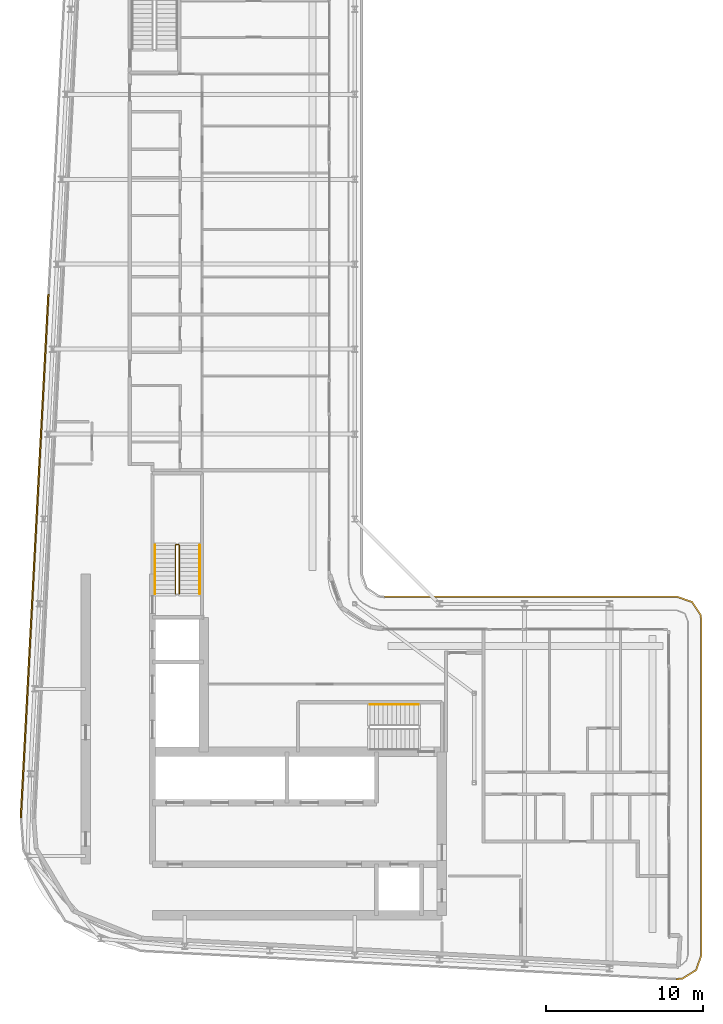
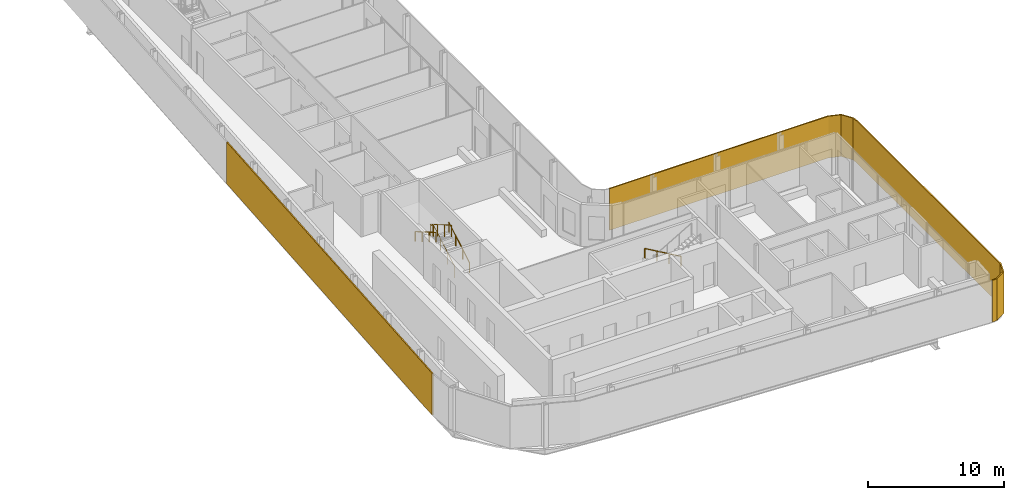
# One storey, part 18 of 21: 4 railings, 2 shading devices.
"""IFC4 building model written with IfcOpenShell, lengths in metres."""

from ifc_helpers import new_model, si_unit, direction, frame, origin, origin_2d, place, context, subcontext, project, spatial, polyline, rectangle, circle, outline, extrude, material, layer, layer_set, type_object, element, save


model = new_model("IFC4")

# Units and contexts
model_context = context("Model", 3, precision=1e-05, world=origin(), true_north=direction((0.0, 1.0)))
body_context = subcontext(model_context, "Body", "Model", "MODEL_VIEW")
ifc_project = project(units=[si_unit("LENGTHUNIT", "METRE"), si_unit("AREAUNIT", "SQUARE_METRE"), si_unit("VOLUMEUNIT", "CUBIC_METRE"), si_unit("PLANEANGLEUNIT", "RADIAN"), si_unit("MASSUNIT", "GRAM", prefix="KILO")], contexts=[model_context])

# Site, building, storey
site_placement = place(None, origin())
site = spatial("IfcSite", under=ifc_project, at=site_placement, CompositionType="ELEMENT")
building_placement = place(site_placement, origin())
building = spatial("IfcBuilding", under=site, at=building_placement, Name="Kheshtan School and Residences Tower", CompositionType="ELEMENT")
storey_placement = place(building_placement, frame((0.0, 0.0, 294.199951171875)))
storey = spatial("IfcBuildingStorey", under=building, at=storey_placement, Name="L69", CompositionType="ELEMENT", Elevation=294.199951171875)

# Shading devices
ifc_material_1 = material(Name="Terracotta baguette, extruded ceramic", Category="masonry")
ifc_layer_1 = layer(ifc_material_1, 0.10009765625)
ifc_layer_set_1 = layer_set([ifc_layer_1], Name="Ledge screen, terracotta baguettes")
shading_device_type_1 = type_object("IfcShadingDeviceType", Name="Ledge screen, terracotta baguettes", PredefinedType="USERDEFINED", material=ifc_layer_set_1)
shading_device_1_placement = place(storey_placement, frame((27.24609375, 48.638916015625, 0.0), z_axis=(0.0, 0.0, 1.0), x_axis=(0.052562536748, 0.998617634398, 0.0)))
element("IfcShadingDevice", 1, at=shading_device_1_placement, inside=storey, type_object=shading_device_type_1, Name="Screen L69 4", ObjectType="BAGUETTE", PredefinedType="USERDEFINED", context=body_context, shape_type="SweptSolid", body=[
    extrude(rectangle(XDim=33.341064453125, YDim=0.10009765625, at=origin_2d()), origin(), (0.0, 0.0, 1.0), 3.75),
])
ifc_material_2 = material(Name="Terracotta lattice, extruded ceramic", Category="masonry")
ifc_layer_2 = layer(ifc_material_2, 0.10009765625)
ifc_layer_set_2 = layer_set([ifc_layer_2], Name="Loggia screen, terracotta lattice")
shading_device_type_2 = type_object("IfcShadingDeviceType", Name="Loggia screen, terracotta lattice", PredefinedType="USERDEFINED", material=ifc_layer_set_2)
shading_device_2_placement = place(storey_placement, origin())
element("IfcShadingDevice", 2, at=shading_device_2_placement, inside=storey, type_object=shading_device_type_2, Name="Screen L69 2", ObjectType="SCREEN", PredefinedType="USERDEFINED", context=body_context, shape_type="SweptSolid", body=[
    extrude(outline(polyline([(49.5, 46.0), (68.10009765625, 46.0), (69.012939453125, 45.68994140625), (69.549072265625, 44.887939453125), (69.60009765625, 44.5), (69.60009765625, 23.285888671875), (69.27001953125, 22.346923828125), (68.424072265625, 21.822021484375), (68.02099609375, 21.7880859375), (68.029052734375, 21.68798828125), (68.4560546875, 21.72412109375), (69.35302734375, 22.281005859375), (69.699951171875, 23.26904296875), (69.699951171875, 44.507080078125), (69.64501953125, 44.924072265625), (69.076904296875, 45.77392578125), (68.116943359375, 46.10009765625), (49.5, 46.10009765625), (49.5, 46.0)])), origin(), (0.0, 0.0, 1.0), 3.75),
])

# Railings
ifc_material_3 = material(Name="Stainless steel balustrade", Category="steel")
railing_type_1 = type_object("IfcRailingType", Name="Stair guard 1100", PredefinedType="GUARDRAIL", material=ifc_material_3)
railing_1_placement = place(storey_placement, frame((36.449951171875, 46.25, 0.16259765625)))
element("IfcRailing", 3, at=railing_1_placement, inside=storey, type_object=railing_type_1, Name="L69 ST2 stair guard 1", PredefinedType="GUARDRAIL", context=body_context, shape_type="SweptSolid", body=[
    extrude(circle(Radius=0.02392578125, at=origin_2d()), frame((0.0, 0.0, 1.076171875), z_axis=(0.0, 0.864920483161, 0.501908913857), x_axis=(-1.0, 0.0, 0.0)), (0.0, 0.0, 1.0), 3.56103515625),
    extrude(circle(Radius=0.02392578125, at=origin_2d()), frame((0.0, 3.080078125, 2.86328125), z_axis=(-0.708833529934, 0.705375805398, 0.0), x_axis=(-0.705375805398, -0.708833529934, 0.0)), (0.0, 0.0, 1.0), 0.070556640625),
    extrude(circle(Radius=0.02392578125, at=origin_2d()), frame((-0.050048828125, 3.1298828125, 2.86328125), z_axis=(-1.0, 0.0, 0.0), x_axis=(0.0, -1.0, 0.0)), (0.0, 0.0, 1.0), 0.14990234375),
    extrude(circle(Radius=0.02392578125, at=origin_2d()), frame((-0.199951171875, 3.1298828125, 2.86328125), z_axis=(-0.282336740067, -0.280959487676, 0.917250092119), x_axis=(0.705375805398, -0.708833529934, 0.0)), (0.0, 0.0, 1.0), 0.17724609375),
    extrude(circle(Radius=0.02392578125, at=origin_2d()), frame((-0.25, 3.080078125, 3.02587890625), z_axis=(0.0, -0.864890721111, 0.501960198159), x_axis=(1.0, 0.0, 0.0)), (0.0, 0.0, 1.0), 3.561279296875),
    extrude(circle(Radius=0.02099609375, at=origin_2d()), origin(), (0.0, 0.0, 1.0), 1.052001953125),
    extrude(circle(Radius=0.02099609375, at=origin_2d()), frame((0.0, 1.026611328125, 0.595703125)), (0.0, 0.0, 1.0), 1.052001953125),
    extrude(circle(Radius=0.02099609375, at=origin_2d()), frame((0.0, 2.053466796875, 1.191650390625)), (0.0, 0.0, 1.0), 1.052001953125),
    extrude(circle(Radius=0.02099609375, at=origin_2d()), frame((0.0, 3.080078125, 1.787353515625)), (0.0, 0.0, 1.0), 1.052001953125),
    extrude(circle(Radius=0.02099609375, at=origin_2d()), frame((-0.050048828125, 3.1298828125, 1.787353515625)), (0.0, 0.0, 1.0), 1.052001953125),
    extrude(circle(Radius=0.02099609375, at=origin_2d()), frame((-0.199951171875, 3.1298828125, 1.787353515625)), (0.0, 0.0, 1.0), 1.052001953125),
    extrude(circle(Radius=0.02099609375, at=origin_2d()), frame((-0.25, 3.080078125, 1.949951171875)), (0.0, 0.0, 1.0), 1.052001953125),
    extrude(circle(Radius=0.02099609375, at=origin_2d()), frame((-0.25, 2.053466796875, 2.5458984375)), (0.0, 0.0, 1.0), 1.052001953125),
    extrude(circle(Radius=0.02099609375, at=origin_2d()), frame((-0.25, 1.026611328125, 3.1416015625)), (0.0, 0.0, 1.0), 1.052001953125),
    extrude(circle(Radius=0.02099609375, at=origin_2d()), frame((-0.25, 0.0, 3.737548828125)), (0.0, 0.0, 1.0), 1.052001953125),
])
ifc_material_4 = material(Name="Stainless steel handrail", Category="steel")
railing_type_2 = type_object("IfcRailingType", Name="Stair handrail 900", PredefinedType="HANDRAIL", material=ifc_material_4)
railing_2_placement = place(storey_placement, frame((51.64990234375, 39.199951171875, 0.16259765625)))
element("IfcRailing", 4, at=railing_2_placement, inside=storey, type_object=railing_type_2, Name="L69 ST1 stair handrail 1", PredefinedType="HANDRAIL", context=body_context, shape_type="SweptSolid", body=[
    extrude(circle(Radius=0.02392578125, at=origin_2d()), frame((0.0, 0.0, 0.8759765625), z_axis=(-0.864903211148, 0.0, 0.501938676878), x_axis=(0.0, -1.0, 0.0)), (0.0, 0.0, 1.0), 3.560791015625),
    extrude(circle(Radius=0.02099609375, at=origin_2d()), origin(), (0.0, 0.0, 1.0), 0.851806640625),
    extrude(circle(Radius=0.02099609375, at=origin_2d()), frame((-1.026611328125, 0.0, 0.595703125)), (0.0, 0.0, 1.0), 0.851806640625),
    extrude(circle(Radius=0.02099609375, at=origin_2d()), frame((-2.05322265625, 0.0, 1.191650390625)), (0.0, 0.0, 1.0), 0.851806640625),
    extrude(circle(Radius=0.02099609375, at=origin_2d()), frame((-3.079833984375, 0.0, 1.787353515625)), (0.0, 0.0, 1.0), 0.851806640625),
])
railing_3_placement = place(storey_placement, frame((37.75, 46.25, 0.16259765625)))
element("IfcRailing", 5, at=railing_3_placement, inside=storey, type_object=railing_type_2, Name="L69 ST2 stair handrail 1", PredefinedType="HANDRAIL", context=body_context, shape_type="SweptSolid", body=[
    extrude(circle(Radius=0.02392578125, at=origin_2d()), frame((0.0, 0.0, 0.8759765625), z_axis=(0.0, 0.864920483161, 0.501908913857), x_axis=(-1.0, 0.0, 0.0)), (0.0, 0.0, 1.0), 3.56103515625),
    extrude(circle(Radius=0.02099609375, at=origin_2d()), origin(), (0.0, 0.0, 1.0), 0.851806640625),
    extrude(circle(Radius=0.02099609375, at=origin_2d()), frame((0.0, 1.026611328125, 0.595703125)), (0.0, 0.0, 1.0), 0.851806640625),
    extrude(circle(Radius=0.02099609375, at=origin_2d()), frame((0.0, 2.053466796875, 1.191650390625)), (0.0, 0.0, 1.0), 0.851806640625),
    extrude(circle(Radius=0.02099609375, at=origin_2d()), frame((0.0, 3.080078125, 1.787353515625)), (0.0, 0.0, 1.0), 0.851806640625),
])
railing_4_placement = place(storey_placement, frame((34.89990234375, 49.330078125, 2.112548828125)))
element("IfcRailing", 6, at=railing_4_placement, inside=storey, type_object=railing_type_2, Name="L69 ST2 stair handrail 2", PredefinedType="HANDRAIL", context=body_context, shape_type="SweptSolid", body=[
    extrude(circle(Radius=0.02392578125, at=origin_2d()), frame((0.0, 0.0, 0.8759765625), z_axis=(0.0, -0.864890721111, 0.501960198159), x_axis=(1.0, 0.0, 0.0)), (0.0, 0.0, 1.0), 3.561279296875),
    extrude(circle(Radius=0.02099609375, at=origin_2d()), origin(), (0.0, 0.0, 1.0), 0.851806640625),
    extrude(circle(Radius=0.02099609375, at=origin_2d()), frame((0.0, -1.026611328125, 0.595947265625)), (0.0, 0.0, 1.0), 0.851806640625),
    extrude(circle(Radius=0.02099609375, at=origin_2d()), frame((0.0, -2.053466796875, 1.191650390625)), (0.0, 0.0, 1.0), 0.851806640625),
    extrude(circle(Radius=0.02099609375, at=origin_2d()), frame((0.0, -3.080078125, 1.78759765625)), (0.0, 0.0, 1.0), 0.851806640625),
])

save(model, "model.ifc")
